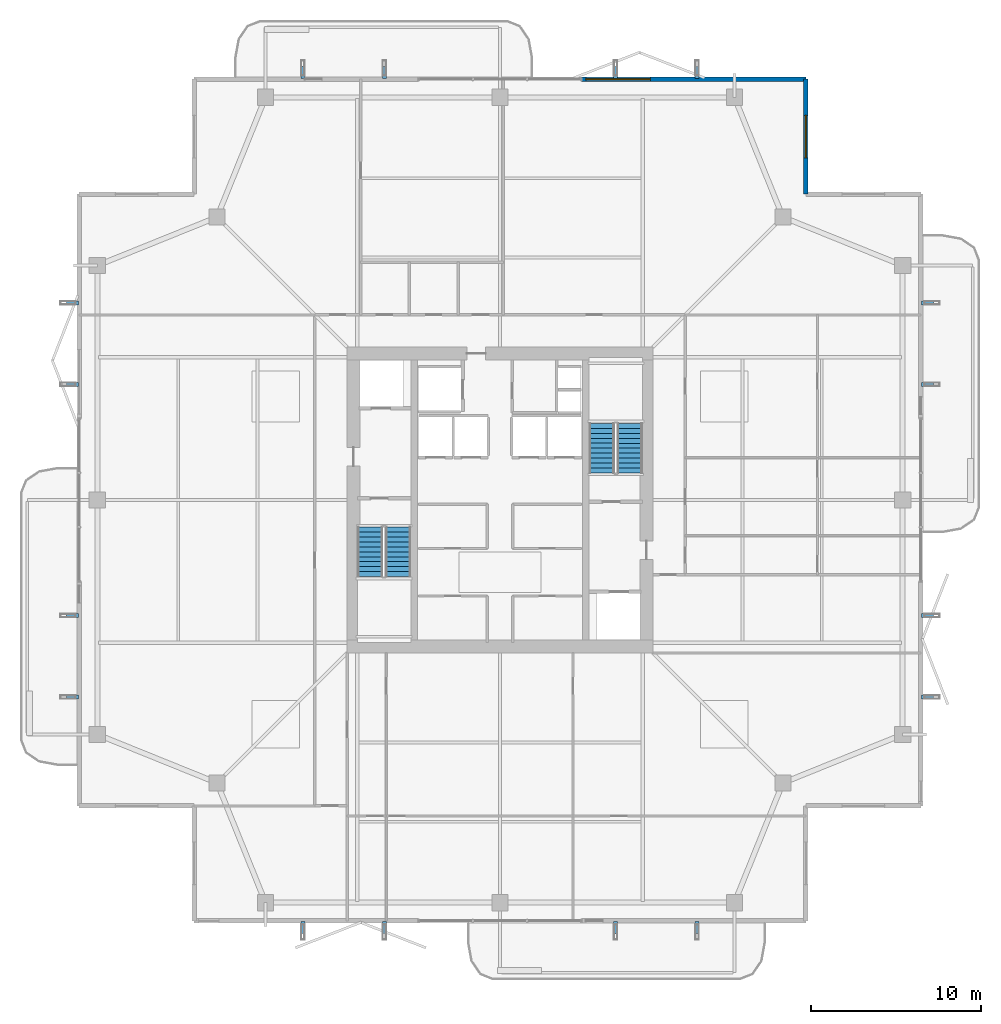
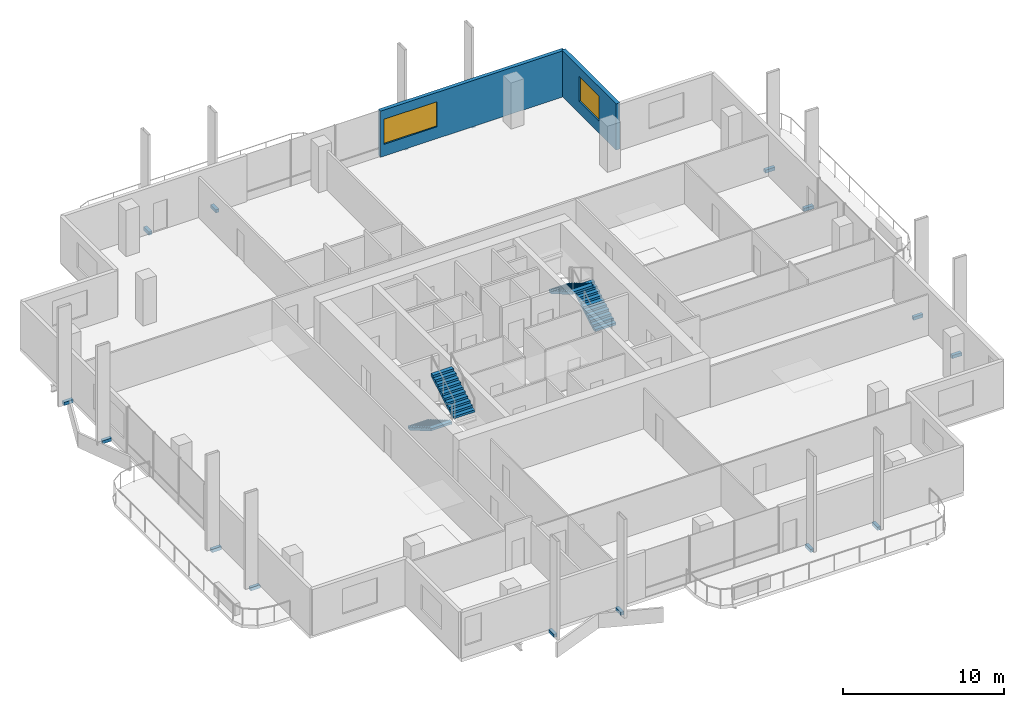
# One storey, part 21 of 25: 16 discrete accessories, 4 stair flights, 2 walls, 2 windows, 2 openings, 2 elements without a shape of their own.
"""IFC4 building model written with IfcOpenShell, lengths in metres."""

from ifc_helpers import new_model, si_unit, direction, frame, frame_2d, origin, origin_2d, place, context, subcontext, project, spatial, polyline, rectangle, outline, extrude, material, layer, layer_set, type_object, element, fill, aggregate, save


model = new_model("IFC4")

# Units and contexts
model_context = context("Model", 3, precision=1e-05, world=origin(), true_north=direction((0.0, 1.0)))
body_context = subcontext(model_context, "Body", "Model", "MODEL_VIEW")
ifc_project = project(units=[si_unit("LENGTHUNIT", "METRE"), si_unit("AREAUNIT", "SQUARE_METRE"), si_unit("VOLUMEUNIT", "CUBIC_METRE"), si_unit("PLANEANGLEUNIT", "RADIAN"), si_unit("MASSUNIT", "GRAM", prefix="KILO")], contexts=[model_context])

# Site, building, storey
site_placement = place(None, origin())
site = spatial("IfcSite", under=ifc_project, at=site_placement, CompositionType="ELEMENT")
building_placement = place(site_placement, origin())
building = spatial("IfcBuilding", under=site, at=building_placement, Name="Belovzor Exchange Tower", CompositionType="ELEMENT")
storey_placement = place(building_placement, frame((0.0, 0.0, 250.35009765625)))
storey = spatial("IfcBuildingStorey", under=building, at=storey_placement, Name="L62", CompositionType="ELEMENT", Elevation=250.35009765625)

# Wall, opening, window
ifc_material_1 = material(Name="Precast concrete C40/50", Category="concrete")
ifc_layer_1 = layer(ifc_material_1, 0.280029296875)
ifc_layer_set_1 = layer_set([ifc_layer_1], Name="Precast concrete C40/50")
wall_type_1 = type_object("IfcWallType", Name="Precast Concrete Notched Corner Frame Wall 280", PredefinedType="SOLIDWALL", material=ifc_layer_set_1)
wall_1_placement = place(storey_placement, frame((46.800048828125, 53.570068359375, 0.0), z_axis=(0.0, 0.0, 1.0), x_axis=(0.0, -1.0, 0.0)))
wall_1 = element("IfcWall", 1, at=wall_1_placement, inside=storey, type_object=wall_type_1, Name="W-CRN280 Precast Concrete Notched Corner Frame Wall 280 L62", PredefinedType="SOLIDWALL", context=body_context, shape_type="SweptSolid", body=[
    extrude(rectangle(XDim=6.77001953125, YDim=0.280029296875, at=frame_2d((3.385009765625, 0.0))), origin(), (0.0, 0.0, 1.0), 3.5),
])
opening_1_placement = place(wall_1_placement, frame((2.135009765625, 0.0, 0.89990234375)))
opening_1 = element("IfcOpeningElement", 2, at=opening_1_placement, cuts=wall_1, Name="Opening WN-CRN250", PredefinedType="OPENING", context=body_context, shape_type="SweptSolid", body=[
    extrude(rectangle(XDim=2.5, YDim=1.89990234375, at=frame_2d((1.25, 0.949951171875))), frame((0.0, 0.14990234375, 0.0), z_axis=(0.0, -1.0, 0.0), x_axis=(1.0, 0.0, 0.0)), (0.0, 0.0, 1.0), 0.300048828125),
])
ifc_material_2 = material(Name="Thermally Broken Aluminium and Triple Glazing", Category="aluminium")
window_type_1 = type_object("IfcWindowType", Name="Streamline Moderne Corner Wrap Ribbon Window 2500x1900", PartitioningType="SINGLE_PANEL", PredefinedType="WINDOW", material=ifc_material_2)
window_1_placement = place(opening_1_placement, origin())
window_1 = element("IfcWindow", 3, at=window_1_placement, inside=storey, type_object=window_type_1, Name="WN-CRN250 Streamline Moderne Corner Wrap Ribbon Window 2500x1900", OverallHeight=1.89990234375, OverallWidth=2.5, PartitioningType="SINGLE_PANEL", PredefinedType="WINDOW", context=body_context, shape_type="SweptSolid", body=[
    extrude(rectangle(XDim=2.5, YDim=1.89990234375, at=frame_2d((1.25, 0.949951171875))), frame((0.0, 0.030029296875, 0.0), z_axis=(0.0, -1.0, 0.0), x_axis=(1.0, 0.0, 0.0)), (0.0, 0.0, 1.0), 0.06005859375),
])
fill(opening_1, window_1)

ifc_material_3 = material(Name="Precast concrete C40/50", Category="concrete")
ifc_layer_2 = layer(ifc_material_3, 0.260009765625)
ifc_layer_set_2 = layer_set([ifc_layer_2], Name="Precast concrete C40/50")
wall_type_2 = type_object("IfcWallType", Name="Precast Concrete Perimeter Loggia Frame Wall 260", PredefinedType="SOLIDWALL", material=ifc_layer_set_2)
wall_2_placement = place(storey_placement, frame((33.60009765625, 53.570068359375, 0.0), z_axis=(0.0, 0.0, 1.0), x_axis=(1.0, 0.0, 0.0)))
wall_2 = element("IfcWall", 4, at=wall_2_placement, inside=storey, type_object=wall_type_2, Name="W-EXT260 Precast Concrete Perimeter Loggia Frame Wall 260 L62", PredefinedType="SOLIDWALL", context=body_context, shape_type="SweptSolid", body=[
    extrude(rectangle(XDim=13.199951171875, YDim=0.260009765625, at=frame_2d((6.60009765625, 0.0))), origin(), (0.0, 0.0, 1.0), 3.5),
])
opening_2_placement = place(wall_2_placement, frame((0.25, 0.0, 0.89990234375)))
opening_2 = element("IfcOpeningElement", 5, at=opening_2_placement, cuts=wall_2, Name="Opening WN-RIB380", PredefinedType="OPENING", context=body_context, shape_type="SweptSolid", body=[
    extrude(rectangle(XDim=3.800048828125, YDim=1.89990234375, at=frame_2d((1.89990234375, 0.949951171875))), frame((0.0, 0.139892578125, 0.0), z_axis=(0.0, -1.0, 0.0), x_axis=(1.0, 0.0, 0.0)), (0.0, 0.0, 1.0), 0.280029296875),
])
ifc_material_4 = material(Name="Thermally Broken Aluminium and Triple Glazing", Category="aluminium")
window_type_2 = type_object("IfcWindowType", Name="Streamline Moderne Horizontal Ribbon Window 3800x1900", PartitioningType="SINGLE_PANEL", PredefinedType="WINDOW", material=ifc_material_4)
window_2_placement = place(opening_2_placement, origin())
window_2 = element("IfcWindow", 6, at=window_2_placement, inside=storey, type_object=window_type_2, Name="WN-RIB380 Streamline Moderne Horizontal Ribbon Window 3800x1900", OverallHeight=1.89990234375, OverallWidth=3.800048828125, PartitioningType="SINGLE_PANEL", PredefinedType="WINDOW", context=body_context, shape_type="SweptSolid", body=[
    extrude(rectangle(XDim=3.800048828125, YDim=1.89990234375, at=frame_2d((1.89990234375, 0.949951171875))), frame((0.0, 0.030029296875, 0.0), z_axis=(0.0, -1.0, 0.0), x_axis=(1.0, 0.0, 0.0)), (0.0, 0.0, 1.0), 0.06005859375),
])
fill(opening_2, window_2)

# Stair, stair flights
ifc_material_5 = material(Name="Concrete C40/50", Category="concrete")
stair_type = type_object("IfcStairType", Name="Reinforced Concrete Dogleg Escape Stair 1350", PredefinedType="HALF_TURN_STAIR", material=ifc_material_5)
stair_1_placement = place(storey_placement, origin())
stair_1 = element("IfcStair", 7, at=stair_1_placement, inside=storey, type_object=stair_type, Name="L62 ST-1", PredefinedType="HALF_TURN_STAIR")
ifc_material_6 = material(Name="Concrete C40/50", Category="concrete")
stair_flight_type = type_object("IfcStairFlightType", Name="Reinforced Concrete Stair Flight 1350", PredefinedType="STRAIGHT", material=ifc_material_6)
stair_flight_1_placement = place(storey_placement, frame((21.14990234375, 27.199951171875, 0.0), z_axis=(0.0, 0.0, 1.0), x_axis=(0.0, -1.0, 0.0)))
stair_flight_1 = element("IfcStairFlight", 8, at=stair_flight_1_placement, type_object=stair_flight_type, Name="ST-1 flight 1", NumberOfRisers=11, NumberOfTreads=10, PredefinedType="STRAIGHT", RiserHeight=0.170454545, TreadLength=0.29, context=body_context, shape_type="SweptSolid", body=[
    extrude(outline(polyline([(0.0, 0.0), (0.0, 0.17041015625), (0.2900390625, 0.17041015625), (0.2900390625, 0.3408203125), (0.580078125, 0.3408203125), (0.580078125, 0.511474609375), (0.8701171875, 0.511474609375), (0.8701171875, 0.681884765625), (1.159912109375, 0.681884765625), (1.159912109375, 0.852294921875), (1.449951171875, 0.852294921875), (1.449951171875, 1.022705078125), (1.739990234375, 1.022705078125), (1.739990234375, 1.193115234375), (2.030029296875, 1.193115234375), (2.030029296875, 1.363525390625), (2.320068359375, 1.363525390625), (2.320068359375, 1.5341796875), (2.610107421875, 1.5341796875), (2.610107421875, 1.70458984375), (2.89990234375, 1.70458984375), (2.89990234375, 1.875), (2.89990234375, 1.53076171875), (0.2958984375, 0.0), (0.0, 0.0)])), frame((0.0, 0.75, 0.0), z_axis=(0.0, -1.0, 0.0), x_axis=(1.0, 0.0, 0.0)), (0.0, 0.0, 1.0), 1.5),
])
stair_flight_2_placement = place(storey_placement, frame((22.800048828125, 24.300048828125, 1.875), z_axis=(0.0, 0.0, 1.0), x_axis=(0.0, 1.0, 0.0)))
stair_flight_2 = element("IfcStairFlight", 9, at=stair_flight_2_placement, type_object=stair_flight_type, Name="ST-1 flight 2", NumberOfRisers=11, NumberOfTreads=10, PredefinedType="STRAIGHT", RiserHeight=0.170454545, TreadLength=0.29, context=body_context, shape_type="SweptSolid", body=[
    extrude(outline(polyline([(0.0, 0.0), (0.0, 0.17041015625), (0.2900390625, 0.17041015625), (0.2900390625, 0.3408203125), (0.580078125, 0.3408203125), (0.580078125, 0.511474609375), (0.8701171875, 0.511474609375), (0.8701171875, 0.681884765625), (1.159912109375, 0.681884765625), (1.159912109375, 0.852294921875), (1.449951171875, 0.852294921875), (1.449951171875, 1.022705078125), (1.739990234375, 1.022705078125), (1.739990234375, 1.193115234375), (2.030029296875, 1.193115234375), (2.030029296875, 1.363525390625), (2.320068359375, 1.363525390625), (2.320068359375, 1.5341796875), (2.610107421875, 1.5341796875), (2.610107421875, 1.70458984375), (2.89990234375, 1.70458984375), (2.89990234375, 1.875), (2.89990234375, 1.53076171875), (0.2958984375, 0.0), (0.0, 0.0)])), frame((0.0, 0.75, 0.0), z_axis=(0.0, -1.0, 0.0), x_axis=(1.0, 0.0, 0.0)), (0.0, 0.0, 1.0), 1.5),
])
aggregate(stair_1, [stair_flight_1, stair_flight_2])

stair_2_placement = place(storey_placement, origin())
stair_2 = element("IfcStair", 10, at=stair_2_placement, inside=storey, type_object=stair_type, Name="L62 ST-2", PredefinedType="HALF_TURN_STAIR")
stair_flight_3_placement = place(storey_placement, frame((36.449951171875, 30.39990234375, 0.0), z_axis=(0.0, 0.0, 1.0), x_axis=(0.0, 1.0, 0.0)))
stair_flight_3 = element("IfcStairFlight", 11, at=stair_flight_3_placement, type_object=stair_flight_type, Name="ST-2 flight 1", NumberOfRisers=11, NumberOfTreads=10, PredefinedType="STRAIGHT", RiserHeight=0.170454545, TreadLength=0.29, context=body_context, shape_type="SweptSolid", body=[
    extrude(outline(polyline([(0.0, 0.0), (0.0, 0.17041015625), (0.2900390625, 0.17041015625), (0.2900390625, 0.3408203125), (0.580078125, 0.3408203125), (0.580078125, 0.511474609375), (0.8701171875, 0.511474609375), (0.8701171875, 0.681884765625), (1.159912109375, 0.681884765625), (1.159912109375, 0.852294921875), (1.449951171875, 0.852294921875), (1.449951171875, 1.022705078125), (1.739990234375, 1.022705078125), (1.739990234375, 1.193115234375), (2.030029296875, 1.193115234375), (2.030029296875, 1.363525390625), (2.320068359375, 1.363525390625), (2.320068359375, 1.5341796875), (2.610107421875, 1.5341796875), (2.610107421875, 1.70458984375), (2.89990234375, 1.70458984375), (2.89990234375, 1.875), (2.89990234375, 1.53076171875), (0.2958984375, 0.0), (0.0, 0.0)])), frame((0.0, 0.75, 0.0), z_axis=(0.0, -1.0, 0.0), x_axis=(1.0, 0.0, 0.0)), (0.0, 0.0, 1.0), 1.5),
])
stair_flight_4_placement = place(storey_placement, frame((34.800048828125, 33.300048828125, 1.875), z_axis=(0.0, 0.0, 1.0), x_axis=(0.0, -1.0, 0.0)))
stair_flight_4 = element("IfcStairFlight", 12, at=stair_flight_4_placement, type_object=stair_flight_type, Name="ST-2 flight 2", NumberOfRisers=11, NumberOfTreads=10, PredefinedType="STRAIGHT", RiserHeight=0.170454545, TreadLength=0.29, context=body_context, shape_type="SweptSolid", body=[
    extrude(outline(polyline([(0.0, 0.0), (0.0, 0.17041015625), (0.2900390625, 0.17041015625), (0.2900390625, 0.3408203125), (0.580078125, 0.3408203125), (0.580078125, 0.511474609375), (0.8701171875, 0.511474609375), (0.8701171875, 0.681884765625), (1.159912109375, 0.681884765625), (1.159912109375, 0.852294921875), (1.449951171875, 0.852294921875), (1.449951171875, 1.022705078125), (1.739990234375, 1.022705078125), (1.739990234375, 1.193115234375), (2.030029296875, 1.193115234375), (2.030029296875, 1.363525390625), (2.320068359375, 1.363525390625), (2.320068359375, 1.5341796875), (2.610107421875, 1.5341796875), (2.610107421875, 1.70458984375), (2.89990234375, 1.70458984375), (2.89990234375, 1.875), (2.89990234375, 1.53076171875), (0.2958984375, 0.0), (0.0, 0.0)])), frame((0.0, 0.75, 0.0), z_axis=(0.0, -1.0, 0.0), x_axis=(1.0, 0.0, 0.0)), (0.0, 0.0, 1.0), 1.5),
])
aggregate(stair_2, [stair_flight_3, stair_flight_4])

# Discrete accessories
ifc_material_7 = material(Name="Stainless Steel Grade 316", Category="steel")
ifc_layer_3 = layer(ifc_material_7, 0.179931640625)
ifc_layer_set_3 = layer_set([ifc_layer_3], Name="Stainless Steel Grade 316")
discrete_accessory_type = type_object("IfcDiscreteAccessoryType", Name="Stainless Steel Facade Outrigger Fixing Bracket", PredefinedType="BRACKET", material=ifc_layer_set_3)
for number, where, z_axis, x_axis, name in (
    (13, (17.199951171875, 3.637939453125, -0.2451171875), (0.0, 0.0, 1.0), (0.0, 1.0, 0.0), "BRK-FIN1 Sweeping Fin Outrigger Bracket L62 S1"),
    (14, (17.199951171875, 53.9619140625, -0.2451171875), (0.0, 0.0, 1.0), (0.0, 1.0, 0.0), "BRK-FIN1 Sweeping Fin Outrigger Bracket L62 N1"),
    (15, (3.637939453125, 17.199951171875, -0.2451171875), (0.0, 0.0, 1.0), (1.0, 0.0, 0.0), "BRK-FIN1 Sweeping Fin Outrigger Bracket L62 W1"),
    (16, (53.9619140625, 17.199951171875, -0.2451171875), (0.0, 0.0, 1.0), (1.0, 0.0, 0.0), "BRK-FIN1 Sweeping Fin Outrigger Bracket L62 E1"),
    (17, (22.0, 3.637939453125, -0.2451171875), (0.0, 0.0, 1.0), (0.0, 1.0, 0.0), "BRK-FIN1 Sweeping Fin Outrigger Bracket L62 S2"),
    (18, (22.0, 53.9619140625, -0.2451171875), (0.0, 0.0, 1.0), (0.0, 1.0, 0.0), "BRK-FIN1 Sweeping Fin Outrigger Bracket L62 N2"),
    (19, (3.637939453125, 22.0, -0.2451171875), (0.0, 0.0, 1.0), (1.0, 0.0, 0.0), "BRK-FIN1 Sweeping Fin Outrigger Bracket L62 W2"),
    (20, (53.9619140625, 22.0, -0.2451171875), (0.0, 0.0, 1.0), (1.0, 0.0, 0.0), "BRK-FIN1 Sweeping Fin Outrigger Bracket L62 E2"),
    (21, (35.60009765625, 3.637939453125, -0.2451171875), (0.0, 0.0, 1.0), (0.0, 1.0, 0.0), "BRK-FIN1 Sweeping Fin Outrigger Bracket L62 S3"),
    (22, (35.60009765625, 53.9619140625, -0.2451171875), (0.0, 0.0, 1.0), (0.0, 1.0, 0.0), "BRK-FIN1 Sweeping Fin Outrigger Bracket L62 N3"),
    (23, (3.637939453125, 35.60009765625, -0.2451171875), (0.0, 0.0, 1.0), (1.0, 0.0, 0.0), "BRK-FIN1 Sweeping Fin Outrigger Bracket L62 W3"),
    (24, (53.9619140625, 35.60009765625, -0.2451171875), (0.0, 0.0, 1.0), (1.0, 0.0, 0.0), "BRK-FIN1 Sweeping Fin Outrigger Bracket L62 E3"),
    (25, (40.39990234375, 3.637939453125, -0.2451171875), (0.0, 0.0, 1.0), (0.0, 1.0, 0.0), "BRK-FIN1 Sweeping Fin Outrigger Bracket L62 S4"),
    (26, (40.39990234375, 53.9619140625, -0.2451171875), (0.0, 0.0, 1.0), (0.0, 1.0, 0.0), "BRK-FIN1 Sweeping Fin Outrigger Bracket L62 N4"),
    (27, (3.637939453125, 40.39990234375, -0.2451171875), (0.0, 0.0, 1.0), (1.0, 0.0, 0.0), "BRK-FIN1 Sweeping Fin Outrigger Bracket L62 W4"),
    (28, (53.9619140625, 40.39990234375, -0.2451171875), (0.0, 0.0, 1.0), (1.0, 0.0, 0.0), "BRK-FIN1 Sweeping Fin Outrigger Bracket L62 E4"),
):
    element("IfcDiscreteAccessory", number, at=place(storey_placement, frame(where, z_axis=z_axis, x_axis=x_axis)), inside=storey, type_object=discrete_accessory_type, Name=name, PredefinedType="BRACKET", context=body_context, shape_type="SweptSolid", body=[
        extrude(rectangle(XDim=0.68505859375, YDim=0.239990234375, at=origin_2d()), origin(), (0.0, 0.0, 1.0), 0.239990234375),
    ])

save(model, "model.ifc")
